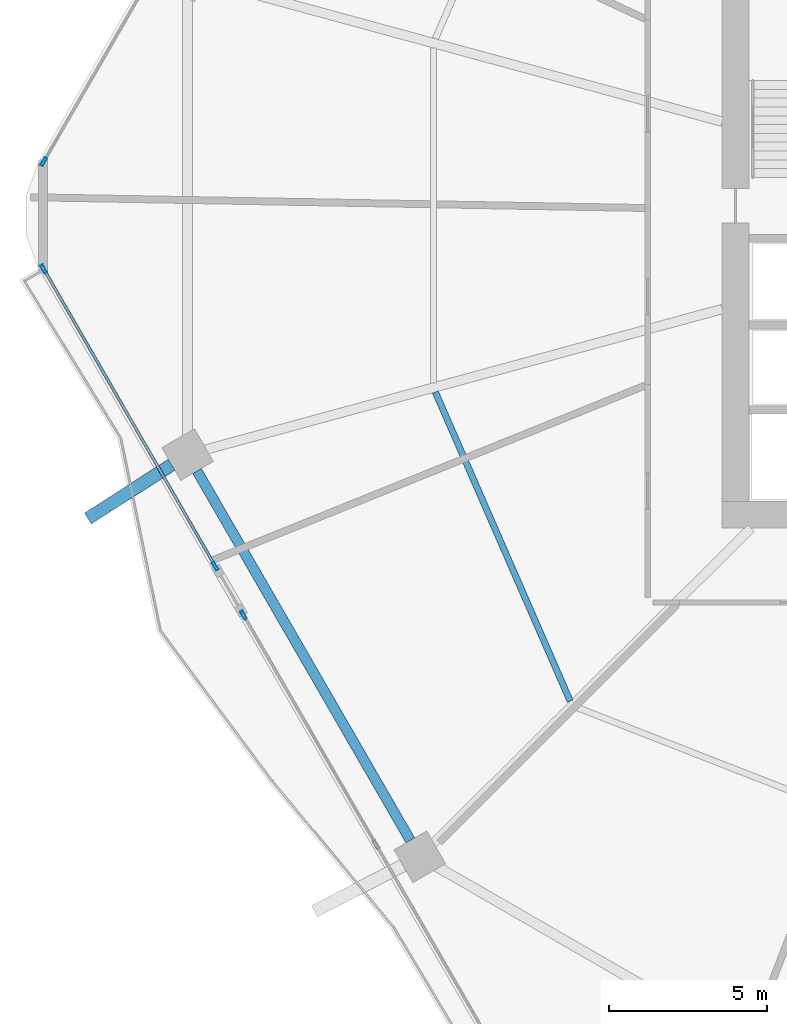
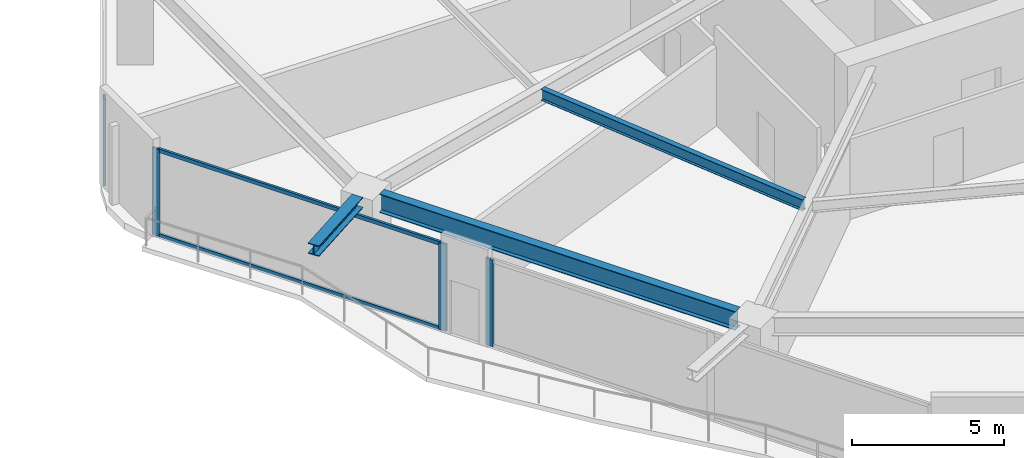
# One storey, part 5 of 27: 6 members, 3 beams, 3 elements without a shape of their own.
"""IFC4 building model written with IfcOpenShell, lengths in metres."""

from ifc_helpers import new_model, si_unit, direction, frame, origin, origin_2d, place, context, subcontext, project, spatial, hollow_rectangle, i_section, extrude, material, material_profile, profile_set, type_object, element, aggregate, save


model = new_model("IFC4")

# Units and contexts
model_context = context("Model", 3, precision=1e-05, world=origin(), true_north=direction((0.0, 1.0)))
body_context = subcontext(model_context, "Body", "Model", "MODEL_VIEW")
ifc_project = project(units=[si_unit("LENGTHUNIT", "METRE"), si_unit("AREAUNIT", "SQUARE_METRE"), si_unit("VOLUMEUNIT", "CUBIC_METRE"), si_unit("PLANEANGLEUNIT", "RADIAN"), si_unit("MASSUNIT", "GRAM", prefix="KILO")], contexts=[model_context])

# Site, building, storey
site_placement = place(None, origin())
site = spatial("IfcSite", under=ifc_project, at=site_placement, CompositionType="ELEMENT")
building_placement = place(site_placement, origin())
building = spatial("IfcBuilding", under=site, at=building_placement, Name="Zuhravey Tower", CompositionType="ELEMENT")
storey_placement = place(building_placement, frame((0.0, 0.0, 12.0)))
storey = spatial("IfcBuildingStorey", under=building, at=storey_placement, Name="L03", CompositionType="ELEMENT", Elevation=12.0)

# Curtain wall, member
ifc_material_1 = material(Name="Thermally broken anodised aluminium", Category="aluminium")
curtain_wall_type = type_object("IfcCurtainWallType", Name="School Low-E Unitised Curtain Wall CW1", PredefinedType="NOTDEFINED", material=ifc_material_1)
curtain_wall_1_placement = place(storey_placement, origin())
curtain_wall_1 = element("IfcCurtainWall", 1, at=curtain_wall_1_placement, inside=storey, type_object=curtain_wall_type, Name="L03 CW1 CW-L03-F4-1", PredefinedType="NOTDEFINED")
ifc_material_2 = material(Name="Anodised aluminium", Category="aluminium")
ifc_material_profile_1 = material_profile(ifc_material_2, hollow_rectangle(XDim=0.090087890625, YDim=0.284912109375, WallThickness=0.0048828125, at=origin_2d()), Name="ALU-RHS-90x285x5")
ifc_profile_set_1 = profile_set([ifc_material_profile_1], Name="Anodised aluminium")
member_type_1 = type_object("IfcMemberType", Name="Curtain-Wall Mullion 90x180", PredefinedType="MULLION", material=ifc_profile_set_1)
member_1_placement = place(storey_placement, frame((9.885986328125, 19.31396484375, 0.0), z_axis=(0.0, 0.0, 1.0), x_axis=(-0.866025508574, -0.499999818499, 0.0)))
member_1 = element("IfcMember", 2, at=member_1_placement, type_object=member_type_1, Name="CW1 mullion 3", PredefinedType="MULLION", context=body_context, shape_type="SweptSolid", body=[
    extrude(hollow_rectangle(XDim=0.090087890625, YDim=0.284912109375, WallThickness=0.0048828125, at=origin_2d()), origin(), (0.0, 0.0, 1.0), 3.491943359375),
])
aggregate(curtain_wall_1, [member_1])

# Curtain wall, members
curtain_wall_2_placement = place(storey_placement, origin())
curtain_wall_2 = element("IfcCurtainWall", 3, at=curtain_wall_2_placement, inside=storey, type_object=curtain_wall_type, Name="L03 CW1 CW-L03-F4-2", PredefinedType="NOTDEFINED")
member_2_placement = place(storey_placement, frame((8.990966796875, 20.8642578125, 0.0), z_axis=(0.0, 0.0, 1.0), x_axis=(-0.866026545681, -0.499998022171, 0.0)))
member_2 = element("IfcMember", 4, at=member_2_placement, type_object=member_type_1, Name="CW1 mullion 1", PredefinedType="MULLION", context=body_context, shape_type="SweptSolid", body=[
    extrude(hollow_rectangle(XDim=0.090087890625, YDim=0.284912109375, WallThickness=0.0048828125, at=origin_2d()), origin(), (0.0, 0.0, 1.0), 3.491943359375),
])
member_3_placement = place(storey_placement, frame((3.5439453125, 30.298583984375, 0.0), z_axis=(0.0, 0.0, 1.0), x_axis=(-0.866026545681, -0.499998022171, 0.0)))
member_3 = element("IfcMember", 5, at=member_3_placement, type_object=member_type_1, Name="CW1 mullion 2", PredefinedType="MULLION", context=body_context, shape_type="SweptSolid", body=[
    extrude(hollow_rectangle(XDim=0.090087890625, YDim=0.284912109375, WallThickness=0.0048828125, at=origin_2d()), origin(), (0.0, 0.0, 1.0), 3.491943359375),
])

# Curtain wall, member
curtain_wall_3_placement = place(storey_placement, origin())
curtain_wall_3 = element("IfcCurtainWall", 6, at=curtain_wall_3_placement, inside=storey, type_object=curtain_wall_type, Name="L03 CW1 CW-L03-F3-1", PredefinedType="NOTDEFINED")
member_4_placement = place(storey_placement, frame((3.5439453125, 33.701416015625, 0.0), z_axis=(0.0, 0.0, 1.0), x_axis=(-0.86602552265, 0.499999794119, 0.0)))
member_4 = element("IfcMember", 7, at=member_4_placement, type_object=member_type_1, Name="CW1 mullion 1", PredefinedType="MULLION", context=body_context, shape_type="SweptSolid", body=[
    extrude(hollow_rectangle(XDim=0.090087890625, YDim=0.284912109375, WallThickness=0.0048828125, at=origin_2d()), origin(), (0.0, 0.0, 1.0), 3.491943359375),
])
aggregate(curtain_wall_3, [member_4])

# Member
ifc_material_profile_2 = material_profile(ifc_material_2, hollow_rectangle(XDim=0.090087890625, YDim=0.14990234375, WallThickness=0.0048828125, at=origin_2d()), Name="ALU-RHS-90x150x5")
ifc_profile_set_2 = profile_set([ifc_material_profile_2], Name="Anodised aluminium")
member_type_2 = type_object("IfcMemberType", Name="Curtain-Wall Transom 90x150", PredefinedType="USERDEFINED", material=ifc_profile_set_2)
member_5_placement = place(storey_placement, frame((8.968505859375, 20.903076171875, 0.044921875), z_axis=(-0.500010648101, 0.866019256013, 0.0), x_axis=(-0.866019256013, -0.500010648101, 0.0)))
member_5 = element("IfcMember", 8, at=member_5_placement, type_object=member_type_2, Name="CW1 transom 1.1", ObjectType="TRANSOM", PredefinedType="USERDEFINED", context=body_context, shape_type="SweptSolid", body=[
    extrude(hollow_rectangle(XDim=0.090087890625, YDim=0.14990234375, WallThickness=0.0048828125, at=origin_2d()), origin(), (0.0, 0.0, 1.0), 10.803955078125),
])

member_6_placement = place(storey_placement, frame((8.968505859375, 20.903076171875, 3.447021484375), z_axis=(-0.500010648101, 0.866019256013, 0.0), x_axis=(-0.866019256013, -0.500010648101, 0.0)))
member_6 = element("IfcMember", 9, at=member_6_placement, type_object=member_type_2, Name="CW1 transom 1.2", ObjectType="TRANSOM", PredefinedType="USERDEFINED", context=body_context, shape_type="SweptSolid", body=[
    extrude(hollow_rectangle(XDim=0.090087890625, YDim=0.14990234375, WallThickness=0.0048828125, at=origin_2d()), origin(), (0.0, 0.0, 1.0), 10.803955078125),
])

aggregate(curtain_wall_2, [member_2, member_3, member_5, member_6])

# Beams
ifc_material_3 = material(Name="Steel SM460", Category="steel")
ifc_material_profile_3 = material_profile(ifc_material_3, i_section(OverallWidth=0.406982421875, OverallDepth=0.427978515625, WebThickness=0.02001953125, FlangeThickness=0.034912109375, at=origin_2d()), Name="H-428x407x20x35")
ifc_profile_set_3 = profile_set([ifc_material_profile_3], Name="Steel SM460")
beam_type_1 = type_object("IfcBeamType", Name="Exoskeleton Node Tie Beam H428x407", PredefinedType="BEAM", material=ifc_profile_set_3)
beam_1_placement = place(storey_placement, frame((7.60205078125, 24.08203125, 3.7060546875), z_axis=(-0.841731244747, -0.539896760147, 0.0), x_axis=(0.539896760147, -0.841731244747, 0.0)))
element("IfcBeam", 10, at=beam_1_placement, inside=storey, type_object=beam_type_1, Name="L03 Exoskeleton Node Tie NT1-07", PredefinedType="BEAM", context=body_context, shape_type="SweptSolid", body=[
    extrude(i_section(OverallWidth=0.406982421875, OverallDepth=0.427978515625, WebThickness=0.02001953125, FlangeThickness=0.034912109375, at=origin_2d()), origin(), (0.0, 0.0, 1.0), 3.154541015625),
])
ifc_material_4 = material(Name="Steel SM355", Category="steel")
ifc_material_profile_4 = material_profile(ifc_material_4, i_section(OverallWidth=0.320068359375, OverallDepth=0.75, WebThickness=0.013916015625, FlangeThickness=0.02490234375, at=origin_2d()), Name="H-750x320x14x25")
ifc_profile_set_4 = profile_set([ifc_material_profile_4], Name="Steel SM355")
beam_type_2 = type_object("IfcBeamType", Name="Perimeter Ring Beam H750x320", PredefinedType="BEAM", material=ifc_profile_set_4)
beam_2_placement = place(storey_placement, frame((8.412353515625, 23.88623046875, 3.544921875), z_axis=(0.499999877243, -0.866025474658, 0.0), x_axis=(0.866025474658, 0.499999877243, 0.0)))
element("IfcBeam", 11, at=beam_2_placement, inside=storey, type_object=beam_type_2, Name="L03 PB1 BM-L03-PB-07", PredefinedType="BEAM", context=body_context, shape_type="SweptSolid", body=[
    extrude(i_section(OverallWidth=0.320068359375, OverallDepth=0.75, WebThickness=0.013916015625, FlangeThickness=0.02490234375, at=origin_2d()), origin(), (0.0, 0.0, 1.0), 13.5341796875),
])
ifc_material_profile_5 = material_profile(ifc_material_4, i_section(OverallWidth=0.199951171875, OverallDepth=0.449951171875, WebThickness=0.009033203125, FlangeThickness=0.013916015625, at=origin_2d()), Name="H-450x200x9x14")
ifc_profile_set_5 = profile_set([ifc_material_profile_5], Name="Steel SM355")
beam_type_3 = type_object("IfcBeamType", Name="Secondary Floor Joist H450x200", PredefinedType="JOIST", material=ifc_profile_set_5)
beam_3_placement = place(storey_placement, frame((15.974609375, 26.39111328125, 3.695068359375), z_axis=(0.399923551578, -0.916548500022, 0.0), x_axis=(0.916548500022, 0.399923551578, 0.0)))
element("IfcBeam", 12, at=beam_3_placement, inside=storey, type_object=beam_type_3, Name="L03 SJ1 BM-L03-SJ-07-1", PredefinedType="JOIST", context=body_context, shape_type="SweptSolid", body=[
    extrude(i_section(OverallWidth=0.199951171875, OverallDepth=0.449951171875, WebThickness=0.009033203125, FlangeThickness=0.013916015625, at=origin_2d()), origin(), (0.0, 0.0, 1.0), 10.70263671875),
])

save(model, "model.ifc")
